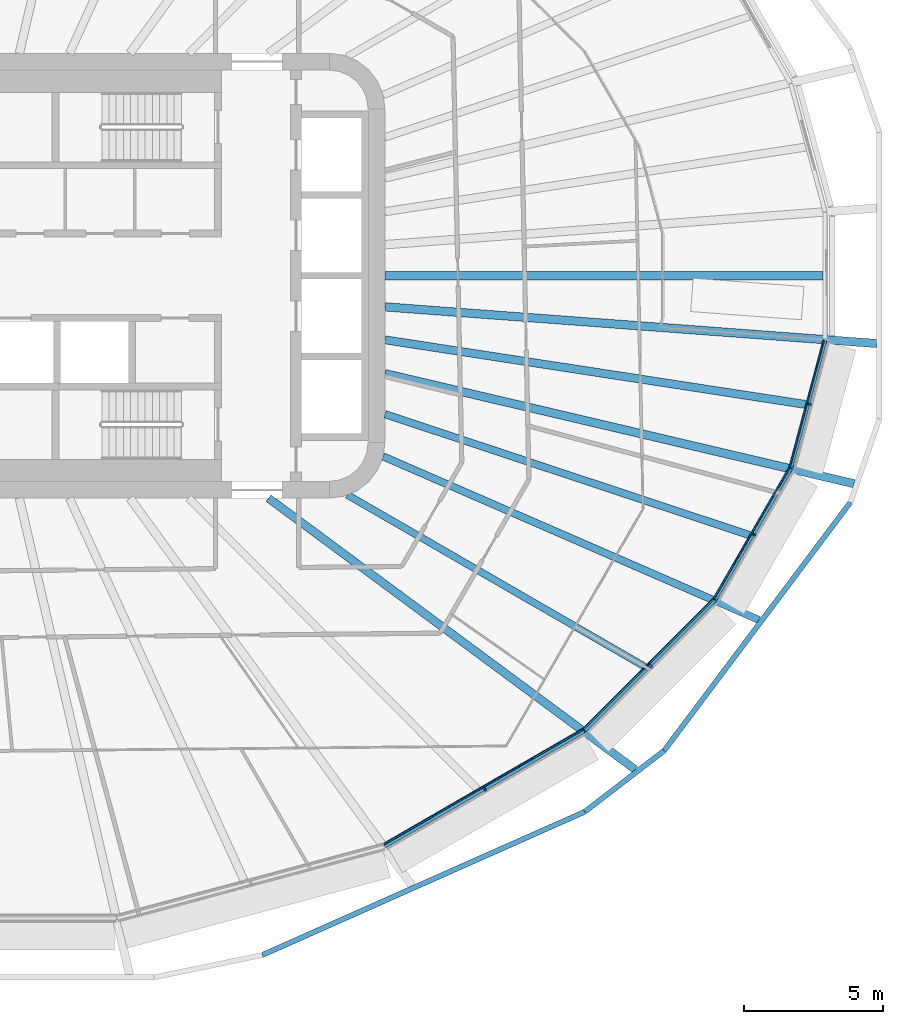
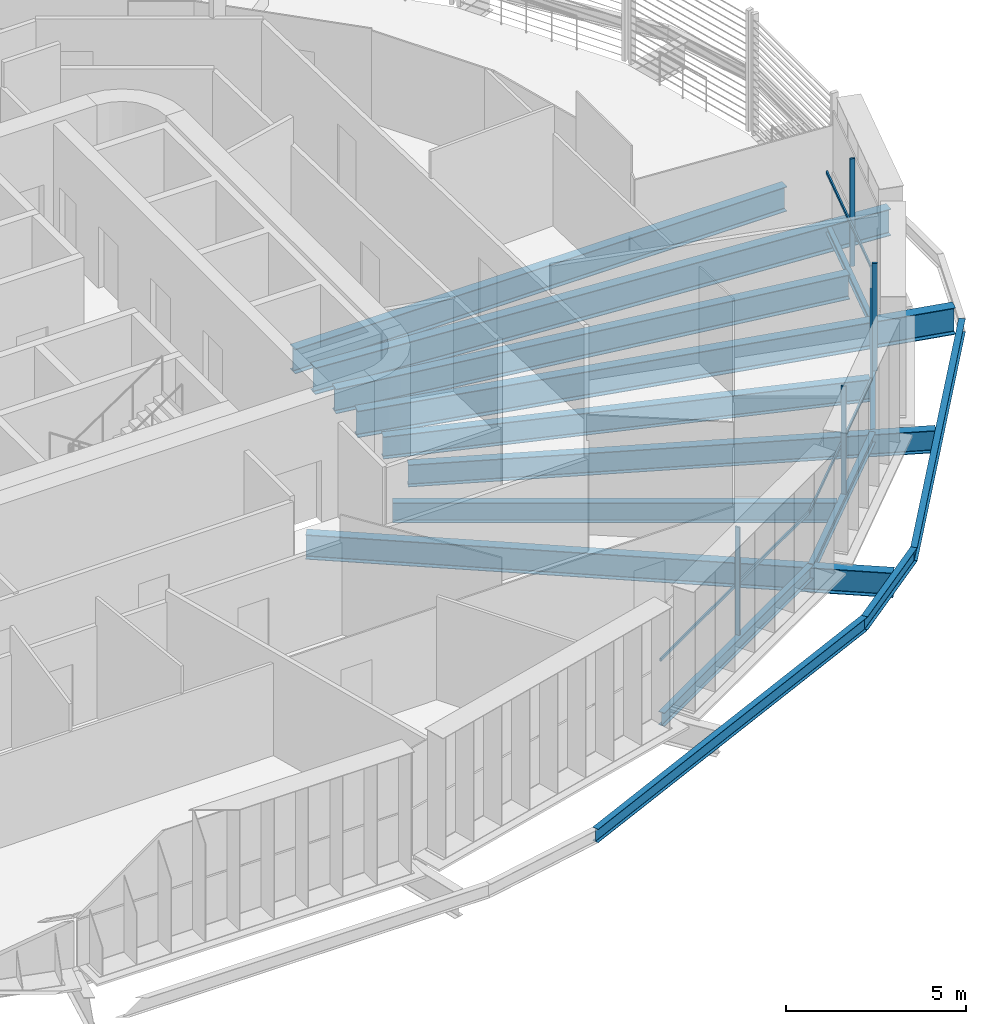
# One storey, part 5 of 24: 15 beams, 8 members, 4 elements without a shape of their own.
"""IFC4 building model written with IfcOpenShell, lengths in metres."""

from ifc_helpers import new_model, si_unit, direction, frame, origin, origin_2d, place, context, subcontext, project, spatial, rectangle, i_section, extrude, material, layer, layer_set, material_profile, profile_set, type_object, element, aggregate, save


model = new_model("IFC4")

# Units and contexts
model_context = context("Model", 3, precision=1e-05, world=origin(), true_north=direction((0.0, 1.0)))
body_context = subcontext(model_context, "Body", "Model", "MODEL_VIEW")
ifc_project = project(units=[si_unit("LENGTHUNIT", "METRE"), si_unit("AREAUNIT", "SQUARE_METRE"), si_unit("VOLUMEUNIT", "CUBIC_METRE"), si_unit("PLANEANGLEUNIT", "RADIAN"), si_unit("MASSUNIT", "GRAM", prefix="KILO")], contexts=[model_context])

# Site, building, storey
site_placement = place(None, origin())
site = spatial("IfcSite", under=ifc_project, at=site_placement, CompositionType="ELEMENT")
building_placement = place(site_placement, origin())
building = spatial("IfcBuilding", under=site, at=building_placement, Name="Sahrelin Media Tower", CompositionType="ELEMENT")
storey_placement = place(building_placement, frame((0.0, 0.0, 67.199951171875)))
storey = spatial("IfcBuildingStorey", under=building, at=storey_placement, Name="L11", CompositionType="ELEMENT", Elevation=67.199951171875)

# Beams
ifc_material_1 = material(Name="Steel S355", Category="steel")
ifc_material_profile_1 = material_profile(ifc_material_1, i_section(OverallWidth=0.14599609375, OverallDepth=0.25146484375, WebThickness=0.006103515625, FlangeThickness=0.008544921875, FilletRadius=0.007568359375, at=origin_2d()), Name="UB 254x146x31")
ifc_profile_set_1 = profile_set([ifc_material_profile_1], Name="Steel S355")
beam_type_1 = type_object("IfcBeamType", Name="Edge beam EB1", PredefinedType="BEAM", material=ifc_profile_set_1)
beam_1_placement = place(storey_placement, frame((30.825927734375, -2.3037109375, -0.32568359375), z_axis=(-0.258798441609, -0.965931346743, 0.0), x_axis=(0.965931346743, -0.258798441609, 0.0)))
element("IfcBeam", 1, at=beam_1_placement, inside=storey, type_object=beam_type_1, Name="Edge beam L11-02", PredefinedType="BEAM", context=body_context, shape_type="SweptSolid", body=[
    extrude(i_section(OverallWidth=0.14599609375, OverallDepth=0.25146484375, WebThickness=0.006103515625, FlangeThickness=0.008544921875, FilletRadius=0.007568359375, at=origin_2d()), origin(), (0.0, 0.0, 1.0), 4.76220703125),
])
ifc_material_profile_2 = material_profile(ifc_material_1, i_section(OverallWidth=0.1650390625, OverallDepth=0.303466796875, WebThickness=0.006103515625, FlangeThickness=0.01025390625, FilletRadius=0.0087890625, at=origin_2d()), Name="UB 305x165x40")
ifc_profile_set_2 = profile_set([ifc_material_profile_2], Name="Steel S355")
beam_type_2 = type_object("IfcBeamType", Name="Edge beam EB2", PredefinedType="BEAM", material=ifc_profile_set_2)
beam_2_placement = place(storey_placement, frame((29.58251953125, -6.93017578125, -0.3017578125), z_axis=(-0.500016918453, -0.866015635691, 0.0), x_axis=(0.866015635691, -0.500016918453, 0.0)))
element("IfcBeam", 2, at=beam_2_placement, inside=storey, type_object=beam_type_2, Name="Edge beam L11-03", PredefinedType="BEAM", context=body_context, shape_type="SweptSolid", body=[
    extrude(i_section(OverallWidth=0.1650390625, OverallDepth=0.303466796875, WebThickness=0.006103515625, FlangeThickness=0.01025390625, FilletRadius=0.0087890625, at=origin_2d()), origin(), (0.0, 0.0, 1.0), 5.430419921875),
])
ifc_material_profile_3 = material_profile(ifc_material_1, i_section(OverallWidth=0.17138671875, OverallDepth=0.35498046875, WebThickness=0.00732421875, FlangeThickness=0.011474609375, FilletRadius=0.01025390625, at=origin_2d()), Name="UB 356x171x51")
ifc_profile_set_3 = profile_set([ifc_material_profile_3], Name="Steel S355")
beam_type_3 = type_object("IfcBeamType", Name="Edge beam EB3", PredefinedType="BEAM", material=ifc_profile_set_3)
beam_3_placement = place(storey_placement, frame((26.849609375, -11.656005859375, -0.327392578125), z_axis=(-0.707106781187, -0.707106781187, 0.0), x_axis=(0.707106781187, -0.707106781187, 0.0)))
element("IfcBeam", 3, at=beam_3_placement, inside=storey, type_object=beam_type_3, Name="Edge beam L11-04", PredefinedType="BEAM", context=body_context, shape_type="SweptSolid", body=[
    extrude(i_section(OverallWidth=0.17138671875, OverallDepth=0.35498046875, WebThickness=0.00732421875, FlangeThickness=0.011474609375, FilletRadius=0.01025390625, at=origin_2d()), origin(), (0.0, 0.0, 1.0), 6.61669921875),
])
ifc_material_profile_4 = material_profile(ifc_material_1, i_section(OverallWidth=0.1904296875, OverallDepth=0.45703125, WebThickness=0.009033203125, FlangeThickness=0.014404296875, FilletRadius=0.01025390625, at=origin_2d()), Name="UB 457x191x74")
ifc_profile_set_4 = profile_set([ifc_material_profile_4], Name="Steel S355")
beam_type_4 = type_object("IfcBeamType", Name="Edge beam EB5", PredefinedType="BEAM", material=ifc_profile_set_4)
beam_4_placement = place(storey_placement, frame((22.14794921875, -16.352294921875, -0.37841796875), z_axis=(-0.866016484387, -0.500015448532, 0.0), x_axis=(0.500015448532, -0.866016484387, 0.0)))
element("IfcBeam", 4, at=beam_4_placement, inside=storey, type_object=beam_type_4, Name="Edge beam L11-05", PredefinedType="BEAM", context=body_context, shape_type="SweptSolid", body=[
    extrude(i_section(OverallWidth=0.1904296875, OverallDepth=0.45703125, WebThickness=0.009033203125, FlangeThickness=0.014404296875, FilletRadius=0.01025390625, at=origin_2d()), origin(), (0.0, 0.0, 1.0), 8.270751953125),
])

# Curtain wall, member
ifc_material_2 = material(Name="Champagne anodised aluminium 6063-T6", Category="aluminium")
ifc_layer = layer(ifc_material_2, 0.14990234375)
ifc_layer_set = layer_set([ifc_layer], Name="Tower ribbon curtain wall")
curtain_wall_type = type_object("IfcCurtainWallType", Name="Tower ribbon curtain wall", PredefinedType="NOTDEFINED", material=ifc_layer_set)
curtain_wall_1_placement = place(storey_placement, frame((18.6416015625, -18.5498046875, 0.0), z_axis=(0.0, 0.0, 1.0), x_axis=(1.0, 0.0, 0.0)))
curtain_wall_1 = element("IfcCurtainWall", 5, at=curtain_wall_1_placement, inside=storey, type_object=curtain_wall_type, Name="L11:CW:L11-20", PredefinedType="NOTDEFINED")
ifc_material_profile_5 = material_profile(ifc_material_2, rectangle(XDim=0.06005859375, YDim=0.14990234375, at=origin_2d()), Name="Mullion 60x150")
ifc_profile_set_5 = profile_set([ifc_material_profile_5], Name="Champagne anodised aluminium 6063-T6")
member_type_1 = type_object("IfcMemberType", Name="Mullion 60x150 CW1", PredefinedType="MULLION", material=ifc_profile_set_5)
member_1_placement = place(storey_placement, frame((18.593994140625, -18.4677734375, 0.0), z_axis=(0.0, 0.0, 1.0), x_axis=(0.866024531118, 0.500001511499, 0.0)))
member_1 = element("IfcMember", 6, at=member_1_placement, type_object=member_type_1, Name="L11:CWM:L11-20", PredefinedType="MULLION", context=body_context, shape_type="SweptSolid", body=[
    extrude(rectangle(XDim=0.06005859375, YDim=0.14990234375, at=origin_2d()), origin(), (0.0, 0.0, 1.0), 3.648681640625),
])

curtain_wall_2_placement = place(storey_placement, frame((24.616455078125, -14.101318359375, 0.0), z_axis=(0.0, 0.0, 1.0), x_axis=(1.0, 0.0, 0.0)))
curtain_wall_2 = element("IfcCurtainWall", 7, at=curtain_wall_2_placement, inside=storey, type_object=curtain_wall_type, Name="L11:CW:L11-21", PredefinedType="NOTDEFINED")
member_2_placement = place(storey_placement, frame((24.54931640625, -14.0341796875, 0.0), z_axis=(0.0, 0.0, 1.0), x_axis=(0.707106781187, 0.707106781187, 0.0)))
member_2 = element("IfcMember", 8, at=member_2_placement, type_object=member_type_1, Name="L11:CWM:L11-21", PredefinedType="MULLION", context=body_context, shape_type="SweptSolid", body=[
    extrude(rectangle(XDim=0.06005859375, YDim=0.14990234375, at=origin_2d()), origin(), (0.0, 0.0, 1.0), 3.648681640625),
])

curtain_wall_3_placement = place(storey_placement, frame((28.354736328125, -9.356689453125, 0.0), z_axis=(0.0, 0.0, 1.0), x_axis=(1.0, 0.0, 0.0)))
curtain_wall_3 = element("IfcCurtainWall", 9, at=curtain_wall_3_placement, inside=storey, type_object=curtain_wall_type, Name="L11:CW:L11-22", PredefinedType="NOTDEFINED")
member_3_placement = place(storey_placement, frame((28.2724609375, -9.30908203125, 0.0), z_axis=(0.0, 0.0, 1.0), x_axis=(0.4999984885, 0.866026276448, 0.0)))
member_3 = element("IfcMember", 10, at=member_3_placement, type_object=member_type_1, Name="L11:CWM:L11-22", PredefinedType="MULLION", context=body_context, shape_type="SweptSolid", body=[
    extrude(rectangle(XDim=0.06005859375, YDim=0.14990234375, at=origin_2d()), origin(), (0.0, 0.0, 1.0), 3.648681640625),
])

curtain_wall_4_placement = place(storey_placement, frame((30.3544921875, -4.642333984375, 0.0), z_axis=(0.0, 0.0, 1.0), x_axis=(1.0, 0.0, 0.0)))
curtain_wall_4 = element("IfcCurtainWall", 11, at=curtain_wall_4_placement, inside=storey, type_object=curtain_wall_type, Name="L11:CW:L11-23", PredefinedType="NOTDEFINED")
member_4_placement = place(storey_placement, frame((30.262939453125, -4.617919921875, 0.0), z_axis=(0.0, 0.0, 1.0), x_axis=(0.258817359244, 0.965926278012, 0.0)))
member_4 = element("IfcMember", 12, at=member_4_placement, type_object=member_type_1, Name="L11:CWM:L11-23", PredefinedType="MULLION", context=body_context, shape_type="SweptSolid", body=[
    extrude(rectangle(XDim=0.06005859375, YDim=0.14990234375, at=origin_2d()), origin(), (0.0, 0.0, 1.0), 3.648681640625),
])

# Beams
ifc_material_profile_6 = material_profile(ifc_material_1, i_section(OverallWidth=0.291748046875, OverallDepth=0.8349609375, WebThickness=0.013916015625, FlangeThickness=0.018798828125, FilletRadius=0.017822265625, at=origin_2d()), Name="UB 838x292x176")
ifc_profile_set_6 = profile_set([ifc_material_profile_6], Name="Steel S355")
beam_type_5 = type_object("IfcBeamType", Name="Radial primary beam PB10", PredefinedType="BEAM", material=ifc_profile_set_6)
beam_5_placement = place(storey_placement, frame((10.81201171875, -8.0, -0.5673828125), z_axis=(0.803875478247, -0.594797625646, 0.0), x_axis=(0.594797625646, 0.803875478247, 0.0)))
element("IfcBeam", 13, at=beam_5_placement, inside=storey, type_object=beam_type_5, Name="Radial beam L11-21", PredefinedType="BEAM", context=body_context, shape_type="SweptSolid", body=[
    extrude(i_section(OverallWidth=0.291748046875, OverallDepth=0.8349609375, WebThickness=0.013916015625, FlangeThickness=0.018798828125, FilletRadius=0.017822265625, at=origin_2d()), origin(), (0.0, 0.0, 1.0), 16.408447265625),
])
ifc_material_profile_7 = material_profile(ifc_material_1, i_section(OverallWidth=0.30322265625, OverallDepth=0.903076171875, WebThickness=0.01513671875, FlangeThickness=0.020263671875, FilletRadius=0.01904296875, at=origin_2d()), Name="UB 914x305x201")
ifc_profile_set_7 = profile_set([ifc_material_profile_7], Name="Steel S355")
beam_type_6 = type_object("IfcBeamType", Name="Radial primary beam PB11", PredefinedType="BEAM", material=ifc_profile_set_7)
beam_6_placement = place(storey_placement, frame((15.0, -3.51953125, -0.6015625), z_axis=(0.973561266375, -0.228426050648, 0.0), x_axis=(0.228426050648, 0.973561266375, 0.0)))
element("IfcBeam", 14, at=beam_6_placement, inside=storey, type_object=beam_type_6, Name="Radial beam L11-23", PredefinedType="BEAM", context=body_context, shape_type="SweptSolid", body=[
    extrude(i_section(OverallWidth=0.30322265625, OverallDepth=0.903076171875, WebThickness=0.01513671875, FlangeThickness=0.020263671875, FilletRadius=0.01904296875, at=origin_2d()), origin(), (0.0, 0.0, 1.0), 17.33056640625),
])
beam_7_placement = place(storey_placement, frame((15.0, -1.1181640625, -0.6015625), z_axis=(0.997233545048, -0.074332070001, 0.0), x_axis=(0.074332070001, 0.997233545048, 0.0)))
element("IfcBeam", 15, at=beam_7_placement, inside=storey, type_object=beam_type_6, Name="Radial beam L11-24", PredefinedType="BEAM", context=body_context, shape_type="SweptSolid", body=[
    extrude(i_section(OverallWidth=0.30322265625, OverallDepth=0.903076171875, WebThickness=0.01513671875, FlangeThickness=0.020263671875, FilletRadius=0.01904296875, at=origin_2d()), origin(), (0.0, 0.0, 1.0), 17.736083984375),
])
ifc_material_profile_8 = material_profile(ifc_material_1, i_section(OverallWidth=0.26513671875, OverallDepth=0.75390625, WebThickness=0.0126953125, FlangeThickness=0.017578125, FilletRadius=0.0166015625, at=origin_2d()), Name="UB 762x267x147")
ifc_profile_set_8 = profile_set([ifc_material_profile_8], Name="Steel S355")
beam_type_7 = type_object("IfcBeamType", Name="Radial primary beam PB9", PredefinedType="BEAM", material=ifc_profile_set_8)
beam_8_placement = place(storey_placement, frame((14.9345703125, -6.497314453125, -0.52685546875), z_axis=(0.916976546495, -0.398941114926, 0.0), x_axis=(0.398941114926, 0.916976546495, 0.0)))
element("IfcBeam", 16, at=beam_8_placement, inside=storey, type_object=beam_type_7, Name="Radial beam L11-22", PredefinedType="BEAM", context=body_context, shape_type="SweptSolid", body=[
    extrude(i_section(OverallWidth=0.26513671875, OverallDepth=0.75390625, WebThickness=0.0126953125, FlangeThickness=0.017578125, FilletRadius=0.0166015625, at=origin_2d()), origin(), (0.0, 0.0, 1.0), 14.7392578125),
])
ifc_material_profile_9 = material_profile(ifc_material_1, i_section(OverallWidth=0.291748046875, OverallDepth=0.8349609375, WebThickness=0.013916015625, FlangeThickness=0.018798828125, FilletRadius=0.017822265625, at=origin_2d()), Name="UB 838x292x176")
ifc_profile_set_9 = profile_set([ifc_material_profile_9], Name="Steel S355")
beam_type_8 = type_object("IfcBeamType", Name="Radial secondary beam SB10", PredefinedType="BEAM", material=ifc_profile_set_9)
beam_9_placement = place(storey_placement, frame((15.0, -2.304443359375, -0.5673828125), z_axis=(0.988404316097, -0.151845012829, 0.0), x_axis=(0.151845012829, 0.988404316097, 0.0)))
element("IfcBeam", 17, at=beam_9_placement, inside=storey, type_object=beam_type_8, Name="Secondary beam L11-23", PredefinedType="BEAM", context=body_context, shape_type="SweptSolid", body=[
    extrude(i_section(OverallWidth=0.291748046875, OverallDepth=0.8349609375, WebThickness=0.013916015625, FlangeThickness=0.018798828125, FilletRadius=0.017822265625, at=origin_2d()), origin(), (0.0, 0.0, 1.0), 15.304931640625),
])
beam_10_placement = place(storey_placement, frame((15.0, 0.0, -0.617431640625), z_axis=(1.0, 0.0, 0.0), x_axis=(0.0, 1.0, 0.0)))
element("IfcBeam", 18, at=beam_10_placement, inside=storey, type_object=beam_type_8, Name="Secondary beam L11-24", PredefinedType="BEAM", context=body_context, shape_type="SweptSolid", body=[
    extrude(i_section(OverallWidth=0.291748046875, OverallDepth=0.8349609375, WebThickness=0.013916015625, FlangeThickness=0.018798828125, FilletRadius=0.017822265625, at=origin_2d()), origin(), (0.0, 0.0, 1.0), 15.7568359375),
])
ifc_material_profile_10 = material_profile(ifc_material_1, i_section(OverallWidth=0.2529296875, OverallDepth=0.677978515625, WebThickness=0.01171875, FlangeThickness=0.01611328125, FilletRadius=0.01513671875, at=origin_2d()), Name="UB 686x254x125")
ifc_profile_set_10 = profile_set([ifc_material_profile_10], Name="Steel S355")
beam_type_9 = type_object("IfcBeamType", Name="Radial secondary beam SB8", PredefinedType="BEAM", material=ifc_profile_set_10)
beam_11_placement = place(storey_placement, frame((13.64453125, -7.87939453125, -0.48876953125), z_axis=(0.865985956665, -0.500068318192, 0.0), x_axis=(0.500068318192, 0.865985956665, 0.0)))
element("IfcBeam", 19, at=beam_11_placement, inside=storey, type_object=beam_type_9, Name="Secondary beam L11-21", PredefinedType="BEAM", context=body_context, shape_type="SweptSolid", body=[
    extrude(i_section(OverallWidth=0.2529296875, OverallDepth=0.677978515625, WebThickness=0.01171875, FlangeThickness=0.01611328125, FilletRadius=0.01513671875, at=origin_2d()), origin(), (0.0, 0.0, 1.0), 12.342529296875),
])
ifc_material_profile_11 = material_profile(ifc_material_1, i_section(OverallWidth=0.26513671875, OverallDepth=0.75390625, WebThickness=0.0126953125, FlangeThickness=0.017578125, FilletRadius=0.0166015625, at=origin_2d()), Name="UB 762x267x147")
ifc_profile_set_11 = profile_set([ifc_material_profile_11], Name="Steel S355")
beam_type_10 = type_object("IfcBeamType", Name="Radial secondary beam SB9", PredefinedType="BEAM", material=ifc_profile_set_11)
beam_12_placement = place(storey_placement, frame((15.0, -4.977783203125, -0.52685546875), z_axis=(0.949108592973, -0.314949009752, 0.0), x_axis=(0.314949009752, 0.949108592973, 0.0)))
element("IfcBeam", 20, at=beam_12_placement, inside=storey, type_object=beam_type_10, Name="Secondary beam L11-22", PredefinedType="BEAM", context=body_context, shape_type="SweptSolid", body=[
    extrude(i_section(OverallWidth=0.26513671875, OverallDepth=0.75390625, WebThickness=0.0126953125, FlangeThickness=0.017578125, FilletRadius=0.0166015625, at=origin_2d()), origin(), (0.0, 0.0, 1.0), 13.806640625),
])
ifc_material_profile_12 = material_profile(ifc_material_1, i_section(OverallWidth=0.1904296875, OverallDepth=0.45703125, WebThickness=0.009033203125, FlangeThickness=0.014404296875, FilletRadius=0.01025390625, at=origin_2d()), Name="UB 457x191x74")
ifc_profile_set_12 = profile_set([ifc_material_profile_12], Name="Steel S355")
beam_type_11 = type_object("IfcBeamType", Name="Tie chord TC5", PredefinedType="BEAM", material=ifc_profile_set_12)
beam_13_placement = place(storey_placement, frame((10.591796875, -24.428955078125, -0.37841796875), z_axis=(0.913834550776, 0.406086707252, 0.0), x_axis=(-0.406086707252, 0.913834550776, 0.0)))
element("IfcBeam", 21, at=beam_13_placement, inside=storey, type_object=beam_type_11, Name="Tie chord L11-20", PredefinedType="BEAM", context=body_context, shape_type="SweptSolid", body=[
    extrude(i_section(OverallWidth=0.1904296875, OverallDepth=0.45703125, WebThickness=0.009033203125, FlangeThickness=0.014404296875, FilletRadius=0.01025390625, at=origin_2d()), origin(), (0.0, 0.0, 1.0), 12.69189453125),
])
beam_14_placement = place(storey_placement, frame((22.190185546875, -19.27490234375, -0.37841796875), z_axis=(0.792407061468, 0.609992663018, 0.0), x_axis=(-0.609992663018, 0.792407061468, 0.0)))
element("IfcBeam", 22, at=beam_14_placement, inside=storey, type_object=beam_type_11, Name="Tie chord L11-21", PredefinedType="BEAM", context=body_context, shape_type="SweptSolid", body=[
    extrude(i_section(OverallWidth=0.1904296875, OverallDepth=0.45703125, WebThickness=0.009033203125, FlangeThickness=0.014404296875, FilletRadius=0.01025390625, at=origin_2d()), origin(), (0.0, 0.0, 1.0), 3.598876953125),
])
beam_15_placement = place(storey_placement, frame((25.0419921875, -17.07958984375, -0.37841796875), z_axis=(0.600059505481, 0.799955367431, 0.0), x_axis=(-0.799955367431, 0.600059505481, 0.0)))
element("IfcBeam", 23, at=beam_15_placement, inside=storey, type_object=beam_type_11, Name="Tie chord L11-22", PredefinedType="BEAM", context=body_context, shape_type="SweptSolid", body=[
    extrude(i_section(OverallWidth=0.1904296875, OverallDepth=0.45703125, WebThickness=0.009033203125, FlangeThickness=0.014404296875, FilletRadius=0.01025390625, at=origin_2d()), origin(), (0.0, 0.0, 1.0), 11.159423828125),
])

# Member
ifc_material_profile_13 = material_profile(ifc_material_2, rectangle(XDim=0.050048828125, YDim=0.10009765625, at=origin_2d()), Name="Transom 50x100")
ifc_profile_set_13 = profile_set([ifc_material_profile_13], Name="Champagne anodised aluminium 6063-T6")
member_type_2 = type_object("IfcMemberType", Name="Transom 50x100 CW1", PredefinedType="USERDEFINED", material=ifc_profile_set_13)
member_5_placement = place(storey_placement, frame((14.976318359375, -20.44091796875, 1.60009765625), z_axis=(0.866028179265, 0.499995192696, 0.0), x_axis=(-0.499995192696, 0.866028179265, 0.0)))
member_5 = element("IfcMember", 24, at=member_5_placement, type_object=member_type_2, Name="L11:CWT:L11-20", ObjectType="TRANSOM", PredefinedType="USERDEFINED", context=body_context, shape_type="SweptSolid", body=[
    extrude(rectangle(XDim=0.050048828125, YDim=0.10009765625, at=origin_2d()), origin(), (0.0, 0.0, 1.0), 8.2392578125),
])

aggregate(curtain_wall_1, [member_1, member_5])

member_6_placement = place(storey_placement, frame((22.150146484375, -16.2919921875, 1.60009765625), z_axis=(0.707106781187, 0.707106781187, 0.0), x_axis=(-0.707106781187, 0.707106781187, 0.0)))
member_6 = element("IfcMember", 25, at=member_6_placement, type_object=member_type_2, Name="L11:CWT:L11-21", ObjectType="TRANSOM", PredefinedType="USERDEFINED", context=body_context, shape_type="SweptSolid", body=[
    extrude(rectangle(XDim=0.050048828125, YDim=0.10009765625, at=origin_2d()), origin(), (0.0, 0.0, 1.0), 6.585693359375),
])

aggregate(curtain_wall_2, [member_2, member_6])

member_7_placement = place(storey_placement, frame((26.836181640625, -11.596923828125, 1.60009765625), z_axis=(0.500005595877, 0.866022172979, 0.0), x_axis=(-0.866022172979, 0.500005595877, 0.0)))
member_7 = element("IfcMember", 26, at=member_7_placement, type_object=member_type_2, Name="L11:CWT:L11-22", ObjectType="TRANSOM", PredefinedType="USERDEFINED", context=body_context, shape_type="SweptSolid", body=[
    extrude(rectangle(XDim=0.050048828125, YDim=0.10009765625, at=origin_2d()), origin(), (0.0, 0.0, 1.0), 5.39892578125),
])

aggregate(curtain_wall_3, [member_3, member_7])

member_8_placement = place(storey_placement, frame((29.55419921875, -6.876708984375, 1.60009765625), z_axis=(0.258809172667, 0.965928471546, 0.0), x_axis=(-0.965928471546, 0.258809172667, 0.0)))
member_8 = element("IfcMember", 27, at=member_8_placement, type_object=member_type_2, Name="L11:CWT:L11-23", ObjectType="TRANSOM", PredefinedType="USERDEFINED", context=body_context, shape_type="SweptSolid", body=[
    extrude(rectangle(XDim=0.050048828125, YDim=0.10009765625, at=origin_2d()), origin(), (0.0, 0.0, 1.0), 4.730712890625),
])

aggregate(curtain_wall_4, [member_4, member_8])

save(model, "model.ifc")
